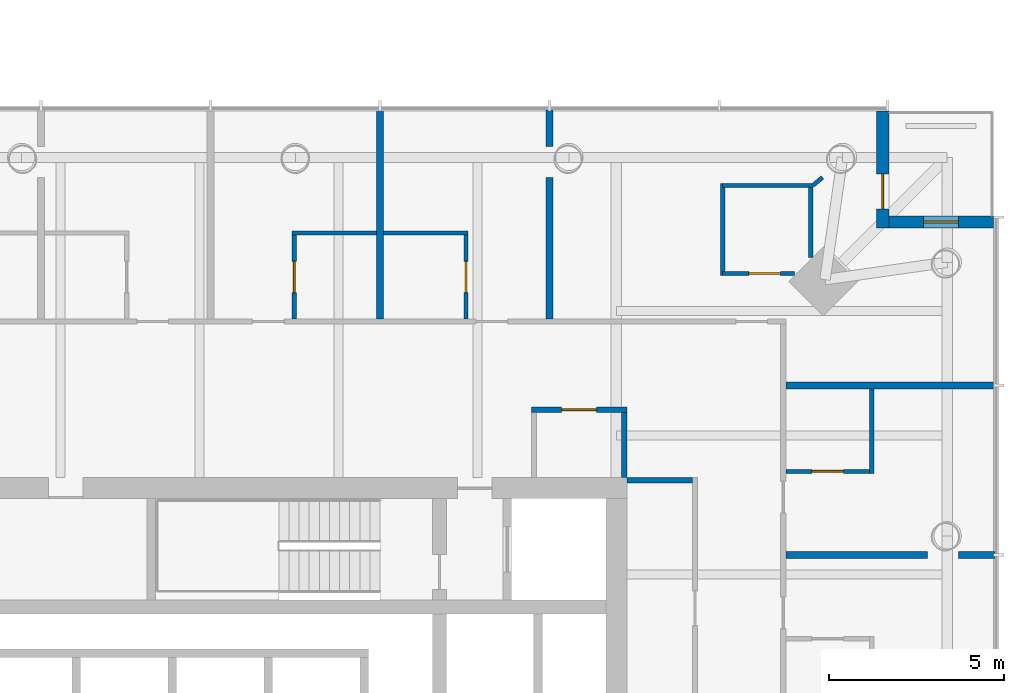
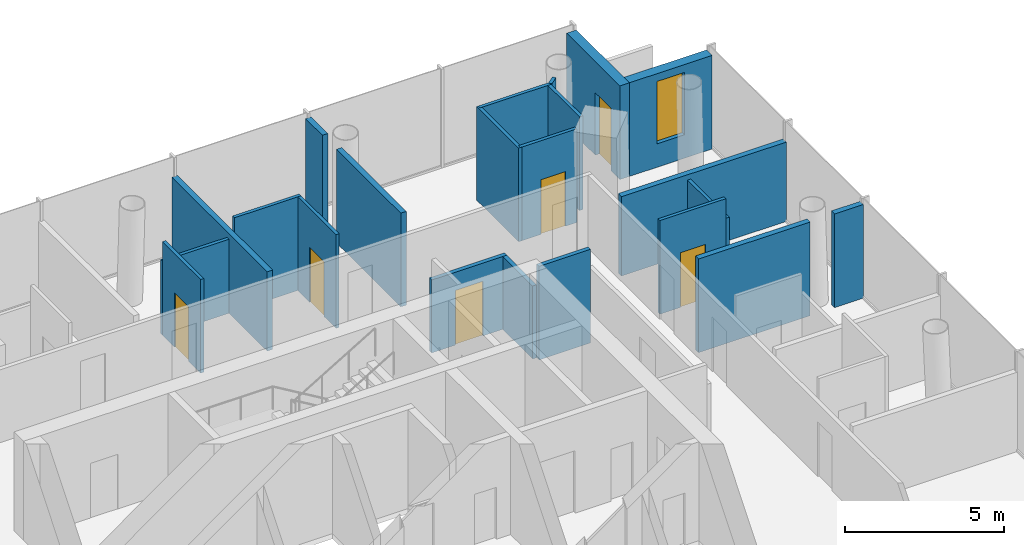
# One storey, part 17 of 20: 22 walls, 6 doors, 1 window, 7 openings.
"""IFC4 building model written with IfcOpenShell, lengths in metres."""

from ifc_helpers import new_model, si_unit, direction, frame, frame_2d, origin, place, context, subcontext, project, spatial, rectangle, extrude, material, layer, layer_set, type_object, element, fill, save


model = new_model("IFC4")

# Units and contexts
model_context = context("Model", 3, precision=1e-05, world=origin(), true_north=direction((0.0, 1.0)))
body_context = subcontext(model_context, "Body", "Model", "MODEL_VIEW")
ifc_project = project(units=[si_unit("LENGTHUNIT", "METRE"), si_unit("AREAUNIT", "SQUARE_METRE"), si_unit("VOLUMEUNIT", "CUBIC_METRE"), si_unit("PLANEANGLEUNIT", "RADIAN"), si_unit("MASSUNIT", "GRAM", prefix="KILO")], contexts=[model_context])

# Site, building, storey
site_placement = place(None, origin())
site = spatial("IfcSite", under=ifc_project, at=site_placement, CompositionType="ELEMENT")
building_placement = place(site_placement, origin())
building = spatial("IfcBuilding", under=site, at=building_placement, Name="Ostroluk Exchange", CompositionType="ELEMENT")
storey_placement = place(building_placement, frame((0.0, 0.0, 28.60009765625)))
storey = spatial("IfcBuildingStorey", under=building, at=storey_placement, Name="L06", CompositionType="ELEMENT", Elevation=28.60009765625)

# Wall, opening, door
ifc_material_1 = material(Name="Limestone", Category="masonry")
ifc_layer_1 = layer(ifc_material_1, 0.35009765625)
ifc_layer_set_1 = layer_set([ifc_layer_1], Name="Limestone facade wall 350")
wall_type_1 = type_object("IfcWallType", Name="Limestone facade wall 350", PredefinedType="SOLIDWALL", material=ifc_layer_set_1)
wall_1_placement = place(storey_placement, frame((133.824951171875, 66.0, 0.0), z_axis=(0.0, 0.0, 1.0), x_axis=(0.0, -1.0, 0.0)))
wall_1 = element("IfcWall", 1, at=wall_1_placement, inside=storey, type_object=wall_type_1, Name="Hotel tower NE corner wall L06 a", PredefinedType="SOLIDWALL", context=body_context, shape_type="SweptSolid", body=[
    extrude(rectangle(XDim=3.35009765625, YDim=0.35009765625, at=frame_2d((1.675048828125, 0.0))), origin(), (0.0, 0.0, 1.0), 3.599853515625),
])
opening_1_placement = place(wall_1_placement, frame((1.800048828125, 0.0, 0.0)))
opening_1 = element("IfcOpeningElement", 2, at=opening_1_placement, cuts=wall_1, Name="Opening D-B1", PredefinedType="OPENING", context=body_context, shape_type="SweptSolid", body=[
    extrude(rectangle(XDim=1.0, YDim=2.39990234375, at=frame_2d((0.5, 1.199951171875))), frame((0.0, 0.18505859375, 0.0), z_axis=(0.0, -1.0, 0.0), x_axis=(1.0, 0.0, 0.0)), (0.0, 0.0, 1.0), 0.3701171875),
])
ifc_material_2 = material(Name="Bronze framed glazed door", Category="aluminium")
door_type_1 = type_object("IfcDoorType", Name="Balcony door 1000 x 2400", OperationType="SINGLE_SWING_LEFT", PredefinedType="DOOR", material=ifc_material_2)
door_1_placement = place(opening_1_placement, origin())
door_1 = element("IfcDoor", 3, at=door_1_placement, inside=storey, type_object=door_type_1, Name="Hotel tower NE balcony door L06", OperationType="SINGLE_SWING_RIGHT", OverallHeight=2.39990234375, OverallWidth=1.0, PredefinedType="DOOR", context=body_context, shape_type="SweptSolid", body=[
    extrude(rectangle(XDim=1.0, YDim=2.39990234375, at=frame_2d((0.5, 1.199951171875))), frame((0.0, 0.02490234375, 0.0), z_axis=(0.0, -1.0, 0.0), x_axis=(1.0, 0.0, 0.0)), (0.0, 0.0, 1.0), 0.050048828125),
])
fill(opening_1, door_1)

# Wall, opening, window
wall_2_placement = place(storey_placement, frame((134.0, 62.824951171875, 0.0), z_axis=(0.0, 0.0, 1.0), x_axis=(1.0, 0.0, 0.0)))
wall_2 = element("IfcWall", 4, at=wall_2_placement, inside=storey, type_object=wall_type_1, Name="Hotel tower NE corner wall L06 b", PredefinedType="SOLIDWALL", context=body_context, shape_type="SweptSolid", body=[
    extrude(rectangle(XDim=3.0, YDim=0.35009765625, at=frame_2d((1.5, 0.0))), origin(), (0.0, 0.0, 1.0), 3.599853515625),
])
opening_2_placement = place(wall_2_placement, frame((1.0, 0.0, 0.89990234375)))
opening_2 = element("IfcOpeningElement", 5, at=opening_2_placement, cuts=wall_2, Name="Opening WN-L3", PredefinedType="OPENING", context=body_context, shape_type="SweptSolid", body=[
    extrude(rectangle(XDim=1.0, YDim=2.39990234375, at=frame_2d((0.5, 1.199951171875))), frame((0.0, 0.18505859375, 0.0), z_axis=(0.0, -1.0, 0.0), x_axis=(1.0, 0.0, 0.0)), (0.0, 0.0, 1.0), 0.3701171875),
])
ifc_material_3 = material(Name="Laminated clear glass", Category="glass")
window_type = type_object("IfcWindowType", Name="Hotel lancet window 1000 x 2400", PartitioningType="SINGLE_PANEL", PredefinedType="WINDOW", material=ifc_material_3)
window_placement = place(opening_2_placement, origin())
window = element("IfcWindow", 6, at=window_placement, inside=storey, type_object=window_type, Name="Hotel tower NE lancet window L06", OverallHeight=2.39990234375, OverallWidth=1.0, PartitioningType="SINGLE_PANEL", PredefinedType="WINDOW", context=body_context, shape_type="SweptSolid", body=[
    extrude(rectangle(XDim=1.0, YDim=2.39990234375, at=frame_2d((0.5, 1.199951171875))), frame((0.0, 0.030029296875, 0.0), z_axis=(0.0, -1.0, 0.0), x_axis=(1.0, 0.0, 0.0)), (0.0, 0.0, 1.0), 0.06005859375),
])
fill(opening_2, window)

# Wall
ifc_material_4 = material(Name="Gypsum plasterboard partition, moisture resistant", Category="gypsum")
ifc_layer_2 = layer(ifc_material_4, 0.1201171875)
ifc_layer_set_2 = layer_set([ifc_layer_2], Name="Plasterboard en-suite wall 120")
wall_type_2 = type_object("IfcWallType", Name="Plasterboard en-suite wall 120", PredefinedType="PARTITIONING", material=ifc_layer_set_2)
wall_3_placement = place(storey_placement, frame((133.510009765625, 55.622802734375, 0.0), z_axis=(0.0, 0.0, 1.0), x_axis=(0.0, 1.0, 0.0)))
element("IfcWall", 7, at=wall_3_placement, inside=storey, type_object=wall_type_2, Name="En-suite wall", PredefinedType="PARTITIONING", context=body_context, shape_type="SweptSolid", body=[
    extrude(rectangle(XDim=2.420166015625, YDim=0.1201171875, at=frame_2d((1.2099609375, 0.0))), origin(), (0.0, 0.0, 1.0), 2.846923828125),
])

# Wall, opening, door
wall_4_placement = place(storey_placement, frame((131.050048828125, 55.682861328125, 0.0), z_axis=(0.0, 0.0, 1.0), x_axis=(1.0, 0.0, 0.0)))
wall_4 = element("IfcWall", 8, at=wall_4_placement, inside=storey, type_object=wall_type_2, Name="En-suite wall", PredefinedType="PARTITIONING", context=body_context, shape_type="SweptSolid", body=[
    extrude(rectangle(XDim=2.39990234375, YDim=0.1201171875, at=frame_2d((1.199951171875, 0.0))), origin(), (0.0, 0.0, 1.0), 3.599853515625),
])
opening_3_placement = place(wall_4_placement, frame((0.75, 0.0, 0.0)))
opening_3 = element("IfcOpeningElement", 9, at=opening_3_placement, cuts=wall_4, Name="Opening D-02", PredefinedType="OPENING", context=body_context, shape_type="SweptSolid", body=[
    extrude(rectangle(XDim=0.89990234375, YDim=2.10009765625, at=frame_2d((0.449951171875, 1.050048828125))), frame((0.0, 0.070068359375, 0.0), z_axis=(0.0, -1.0, 0.0), x_axis=(1.0, 0.0, 0.0)), (0.0, 0.0, 1.0), 0.14013671875),
])
ifc_material_5 = material(Name="Timber", Category="wood")
door_type_2 = type_object("IfcDoorType", Name="En-suite door 900 x 2100", OperationType="SINGLE_SWING_LEFT", PredefinedType="DOOR", material=ifc_material_5)
door_2_placement = place(opening_3_placement, origin())
door_2 = element("IfcDoor", 10, at=door_2_placement, inside=storey, type_object=door_type_2, Name="En-suite door 605", OperationType="SINGLE_SWING_RIGHT", OverallHeight=2.10009765625, OverallWidth=0.89990234375, PredefinedType="DOOR", context=body_context, shape_type="SweptSolid", body=[
    extrude(rectangle(XDim=0.89990234375, YDim=2.10009765625, at=frame_2d((0.449951171875, 1.050048828125))), frame((0.0, 0.02490234375, 0.0), z_axis=(0.0, -1.0, 0.0), x_axis=(1.0, 0.0, 0.0)), (0.0, 0.0, 1.0), 0.050048828125),
])
fill(opening_3, door_2)

wall_5_placement = place(storey_placement, frame((129.242919921875, 61.35009765625, 0.0), z_axis=(0.0, 0.0, 1.0), x_axis=(1.0, 0.0, 0.0)))
wall_5 = element("IfcWall", 11, at=wall_5_placement, inside=storey, type_object=wall_type_2, Name="En-suite wall", PredefinedType="PARTITIONING", context=body_context, shape_type="SweptSolid", body=[
    extrude(rectangle(XDim=2.05712890625, YDim=0.1201171875, at=frame_2d((1.028564453125, 0.0))), origin(), (0.0, 0.0, 1.0), 3.599853515625),
])
opening_4_placement = place(wall_5_placement, frame((0.75, 0.0, 0.0)))
opening_4 = element("IfcOpeningElement", 12, at=opening_4_placement, cuts=wall_5, Name="Opening D-02", PredefinedType="OPENING", context=body_context, shape_type="SweptSolid", body=[
    extrude(rectangle(XDim=0.89990234375, YDim=2.10009765625, at=frame_2d((0.449951171875, 1.050048828125))), frame((0.0, 0.070068359375, 0.0), z_axis=(0.0, -1.0, 0.0), x_axis=(1.0, 0.0, 0.0)), (0.0, 0.0, 1.0), 0.14013671875),
])
door_3_placement = place(opening_4_placement, origin())
door_3 = element("IfcDoor", 13, at=door_3_placement, inside=storey, type_object=door_type_2, Name="En-suite door 606", OperationType="SINGLE_SWING_RIGHT", OverallHeight=2.10009765625, OverallWidth=0.89990234375, PredefinedType="DOOR", context=body_context, shape_type="SweptSolid", body=[
    extrude(rectangle(XDim=0.89990234375, YDim=2.10009765625, at=frame_2d((0.449951171875, 1.050048828125))), frame((0.0, 0.02490234375, 0.0), z_axis=(0.0, -1.0, 0.0), x_axis=(1.0, 0.0, 0.0)), (0.0, 0.0, 1.0), 0.050048828125),
])
fill(opening_4, door_3)

# Walls
wall_6_placement = place(storey_placement, frame((129.242919921875, 63.8701171875, 0.0), z_axis=(0.0, 0.0, 1.0), x_axis=(1.0, 0.0, 0.0)))
element("IfcWall", 14, at=wall_6_placement, inside=storey, type_object=wall_type_2, Name="En-suite wall", PredefinedType="PARTITIONING", context=body_context, shape_type="SweptSolid", body=[
    extrude(rectangle(XDim=2.579833984375, YDim=0.1201171875, at=frame_2d((1.2900390625, 0.0))), origin(), (0.0, 0.0, 1.0), 3.599853515625),
])
wall_7_placement = place(storey_placement, frame((131.762939453125, 61.812744140625, 0.0), z_axis=(0.0, 0.0, 1.0), x_axis=(0.0, 1.0, 0.0)))
element("IfcWall", 15, at=wall_7_placement, inside=storey, type_object=wall_type_2, Name="En-suite wall", PredefinedType="PARTITIONING", context=body_context, shape_type="SweptSolid", body=[
    extrude(rectangle(XDim=1.997314453125, YDim=0.1201171875, at=frame_2d((0.99853515625, 0.0))), origin(), (0.0, 0.0, 1.0), 3.599853515625),
])
wall_8_placement = place(storey_placement, frame((129.242919921875, 61.2900390625, 0.0), z_axis=(0.0, 0.0, 1.0), x_axis=(0.0, 1.0, 0.0)))
element("IfcWall", 16, at=wall_8_placement, inside=storey, type_object=wall_type_2, Name="En-suite wall", PredefinedType="PARTITIONING", context=body_context, shape_type="SweptSolid", body=[
    extrude(rectangle(XDim=2.639892578125, YDim=0.1201171875, at=frame_2d((1.31982421875, 0.0))), origin(), (0.0, 0.0, 1.0), 3.599853515625),
])
wall_9_placement = place(storey_placement, frame((121.948486328125, 62.510009765625, 0.0), z_axis=(0.0, 0.0, 1.0), x_axis=(-1.0, 0.0, 0.0)))
element("IfcWall", 17, at=wall_9_placement, inside=storey, type_object=wall_type_2, Name="En-suite wall", PredefinedType="PARTITIONING", context=body_context, shape_type="SweptSolid", body=[
    extrude(rectangle(XDim=2.419921875, YDim=0.1201171875, at=frame_2d((1.2099609375, 0.0))), origin(), (0.0, 0.0, 1.0), 3.599853515625),
])

# Wall, opening, door
wall_10_placement = place(storey_placement, frame((121.888671875, 60.050048828125, 0.0), z_axis=(0.0, 0.0, 1.0), x_axis=(0.0, 1.0, 0.0)))
wall_10 = element("IfcWall", 18, at=wall_10_placement, inside=storey, type_object=wall_type_2, Name="En-suite wall", PredefinedType="PARTITIONING", context=body_context, shape_type="SweptSolid", body=[
    extrude(rectangle(XDim=2.39990234375, YDim=0.1201171875, at=frame_2d((1.199951171875, 0.0))), origin(), (0.0, 0.0, 1.0), 3.599853515625),
])
opening_5_placement = place(wall_10_placement, frame((0.75, 0.0, 0.0)))
opening_5 = element("IfcOpeningElement", 19, at=opening_5_placement, cuts=wall_10, Name="Opening D-02", PredefinedType="OPENING", context=body_context, shape_type="SweptSolid", body=[
    extrude(rectangle(XDim=0.89990234375, YDim=2.10009765625, at=frame_2d((0.449951171875, 1.050048828125))), frame((0.0, 0.070068359375, 0.0), z_axis=(0.0, -1.0, 0.0), x_axis=(1.0, 0.0, 0.0)), (0.0, 0.0, 1.0), 0.14013671875),
])
door_4_placement = place(opening_5_placement, origin())
door_4 = element("IfcDoor", 20, at=door_4_placement, inside=storey, type_object=door_type_2, Name="En-suite door 607", OperationType="SINGLE_SWING_LEFT", OverallHeight=2.10009765625, OverallWidth=0.89990234375, PredefinedType="DOOR", context=body_context, shape_type="SweptSolid", body=[
    extrude(rectangle(XDim=0.89990234375, YDim=2.10009765625, at=frame_2d((0.449951171875, 1.050048828125))), frame((0.0, 0.02490234375, 0.0), z_axis=(0.0, -1.0, 0.0), x_axis=(1.0, 0.0, 0.0)), (0.0, 0.0, 1.0), 0.050048828125),
])
fill(opening_5, door_4)

# Wall
wall_11_placement = place(storey_placement, frame((119.32861328125, 62.510009765625, 0.0), z_axis=(0.0, 0.0, 1.0), x_axis=(-1.0, 0.0, 0.0)))
element("IfcWall", 21, at=wall_11_placement, inside=storey, type_object=wall_type_2, Name="En-suite wall", PredefinedType="PARTITIONING", context=body_context, shape_type="SweptSolid", body=[
    extrude(rectangle(XDim=2.419921875, YDim=0.1201171875, at=frame_2d((1.2099609375, 0.0))), origin(), (0.0, 0.0, 1.0), 2.846923828125),
])

# Wall, opening, door
wall_12_placement = place(storey_placement, frame((116.968505859375, 60.050048828125, 0.0), z_axis=(0.0, 0.0, 1.0), x_axis=(0.0, 1.0, 0.0)))
wall_12 = element("IfcWall", 22, at=wall_12_placement, inside=storey, type_object=wall_type_2, Name="En-suite wall", PredefinedType="PARTITIONING", context=body_context, shape_type="SweptSolid", body=[
    extrude(rectangle(XDim=2.39990234375, YDim=0.1201171875, at=frame_2d((1.199951171875, 0.0))), origin(), (0.0, 0.0, 1.0), 3.599853515625),
])
opening_6_placement = place(wall_12_placement, frame((0.75, 0.0, 0.0)))
opening_6 = element("IfcOpeningElement", 23, at=opening_6_placement, cuts=wall_12, Name="Opening D-02", PredefinedType="OPENING", context=body_context, shape_type="SweptSolid", body=[
    extrude(rectangle(XDim=0.89990234375, YDim=2.10009765625, at=frame_2d((0.449951171875, 1.050048828125))), frame((0.0, 0.070068359375, 0.0), z_axis=(0.0, -1.0, 0.0), x_axis=(1.0, 0.0, 0.0)), (0.0, 0.0, 1.0), 0.14013671875),
])
door_5_placement = place(opening_6_placement, origin())
door_5 = element("IfcDoor", 24, at=door_5_placement, inside=storey, type_object=door_type_2, Name="En-suite door 608", OperationType="SINGLE_SWING_LEFT", OverallHeight=2.10009765625, OverallWidth=0.89990234375, PredefinedType="DOOR", context=body_context, shape_type="SweptSolid", body=[
    extrude(rectangle(XDim=0.89990234375, YDim=2.10009765625, at=frame_2d((0.449951171875, 1.050048828125))), frame((0.0, 0.02490234375, 0.0), z_axis=(0.0, -1.0, 0.0), x_axis=(1.0, 0.0, 0.0)), (0.0, 0.0, 1.0), 0.050048828125),
])
fill(opening_6, door_5)

# Walls
wall_13_placement = place(storey_placement, frame((131.82275390625, 63.8701171875, 0.0), z_axis=(0.0, 0.0, 1.0), x_axis=(0.76932257457, 0.638860529582, 0.0)))
element("IfcWall", 25, at=wall_13_placement, inside=storey, type_object=wall_type_2, Name="En-suite wall", PredefinedType="PARTITIONING", context=body_context, shape_type="SweptSolid", body=[
    extrude(rectangle(XDim=0.363037109375, YDim=0.1201171875, at=frame_2d((0.181640625, 0.0))), origin(), (0.0, 0.0, 1.0), 3.599853515625),
])
ifc_material_6 = material(Name="Gypsum plasterboard partition", Category="gypsum")
ifc_layer_3 = layer(ifc_material_6, 0.14990234375)
ifc_layer_set_3 = layer_set([ifc_layer_3], Name="Plasterboard partition 150")
wall_type_3 = type_object("IfcWallType", Name="Plasterboard partition 150", PredefinedType="PARTITIONING", material=ifc_layer_set_3)
wall_14_placement = place(storey_placement, frame((126.5, 55.425048828125, 0.0), z_axis=(0.0, 0.0, 1.0), x_axis=(1.0, 0.0, 0.0)))
element("IfcWall", 26, at=wall_14_placement, inside=storey, type_object=wall_type_3, Name="Partition", PredefinedType="PARTITIONING", context=body_context, shape_type="SweptSolid", body=[
    extrude(rectangle(XDim=1.875, YDim=0.14990234375, at=frame_2d((0.9375, 0.0))), origin(), (0.0, 0.0, 1.0), 3.599853515625),
])

# Wall, opening, door
wall_15_placement = place(storey_placement, frame((126.5, 57.449951171875, 0.0), z_axis=(0.0, 0.0, 1.0), x_axis=(-1.0, 0.0, 0.0)))
wall_15 = element("IfcWall", 27, at=wall_15_placement, inside=storey, type_object=wall_type_3, Name="Partition", PredefinedType="PARTITIONING", context=body_context, shape_type="SweptSolid", body=[
    extrude(rectangle(XDim=2.735107421875, YDim=0.14990234375, at=frame_2d((1.36767578125, 0.0))), origin(), (0.0, 0.0, 1.0), 2.7998046875),
])
opening_7_placement = place(wall_15_placement, frame((0.867431640625, 0.0, 0.0)))
opening_7 = element("IfcOpeningElement", 28, at=opening_7_placement, cuts=wall_15, Name="Opening D-03", PredefinedType="OPENING", context=body_context, shape_type="SweptSolid", body=[
    extrude(rectangle(XDim=1.0, YDim=2.10009765625, at=frame_2d((0.5, 1.050048828125))), frame((0.0, 0.0849609375, 0.0), z_axis=(0.0, -1.0, 0.0), x_axis=(1.0, 0.0, 0.0)), (0.0, 0.0, 1.0), 0.169921875),
])
ifc_material_7 = material(Name="Timber", Category="wood")
door_type_3 = type_object("IfcDoorType", Name="Internal door 1000 x 2100", OperationType="SINGLE_SWING_LEFT", PredefinedType="DOOR", material=ifc_material_7)
door_6_placement = place(opening_7_placement, origin())
door_6 = element("IfcDoor", 29, at=door_6_placement, inside=storey, type_object=door_type_3, Name="Vending and ice room door", OperationType="SINGLE_SWING_RIGHT", OverallHeight=2.10009765625, OverallWidth=1.0, PredefinedType="DOOR", context=body_context, shape_type="SweptSolid", body=[
    extrude(rectangle(XDim=1.0, YDim=2.10009765625, at=frame_2d((0.5, 1.050048828125))), frame((0.0, 0.02490234375, 0.0), z_axis=(0.0, -1.0, 0.0), x_axis=(1.0, 0.0, 0.0)), (0.0, 0.0, 1.0), 0.050048828125),
])
fill(opening_7, door_6)

# Walls
wall_16_placement = place(storey_placement, frame((126.425048828125, 55.5, 0.0), z_axis=(0.0, 0.0, 1.0), x_axis=(0.0, 1.0, 0.0)))
element("IfcWall", 30, at=wall_16_placement, inside=storey, type_object=wall_type_3, Name="Partition", PredefinedType="PARTITIONING", context=body_context, shape_type="SweptSolid", body=[
    extrude(rectangle(XDim=1.875, YDim=0.14990234375, at=frame_2d((0.9375, 0.0))), origin(), (0.0, 0.0, 1.0), 2.7998046875),
])
ifc_material_8 = material(Name="Gypsum plasterboard partition", Category="gypsum")
ifc_layer_4 = layer(ifc_material_8, 0.199951171875)
ifc_layer_set_4 = layer_set([ifc_layer_4], Name="Plasterboard party wall 200")
wall_type_4 = type_object("IfcWallType", Name="Plasterboard party wall 200", PredefinedType="PARTITIONING", material=ifc_layer_set_4)
wall_17_placement = place(storey_placement, frame((131.050048828125, 53.28564453125, 0.0), z_axis=(0.0, 0.0, 1.0), x_axis=(1.0, 0.0, 0.0)))
element("IfcWall", 31, at=wall_17_placement, inside=storey, type_object=wall_type_4, Name="Party wall", PredefinedType="PARTITIONING", context=body_context, shape_type="SweptSolid", body=[
    extrude(rectangle(XDim=4.052001953125, YDim=0.199951171875, at=frame_2d((2.02587890625, 0.0))), origin(), (0.0, 0.0, 1.0), 3.599853515625),
])
wall_18_placement = place(storey_placement, frame((135.990966796875, 53.28564453125, 0.0), z_axis=(0.0, 0.0, 1.0), x_axis=(1.0, 0.0, 0.0)))
element("IfcWall", 32, at=wall_18_placement, inside=storey, type_object=wall_type_4, Name="Party wall", PredefinedType="PARTITIONING", context=body_context, shape_type="SweptSolid", body=[
    extrude(rectangle(XDim=1.049072265625, YDim=0.199951171875, at=frame_2d((0.5244140625, 0.0))), origin(), (0.0, 0.0, 1.0), 3.599853515625),
])
wall_19_placement = place(storey_placement, frame((131.050048828125, 58.142822265625, 0.0), z_axis=(0.0, 0.0, 1.0), x_axis=(1.0, 0.0, 0.0)))
element("IfcWall", 33, at=wall_19_placement, inside=storey, type_object=wall_type_4, Name="Party wall", PredefinedType="PARTITIONING", context=body_context, shape_type="SweptSolid", body=[
    extrude(rectangle(XDim=5.989990234375, YDim=0.199951171875, at=frame_2d((2.9951171875, 0.0))), origin(), (0.0, 0.0, 1.0), 3.0498046875),
])
wall_20_placement = place(storey_placement, frame((124.28564453125, 60.050048828125, 0.0), z_axis=(0.0, 0.0, 1.0), x_axis=(0.0, 1.0, 0.0)))
element("IfcWall", 34, at=wall_20_placement, inside=storey, type_object=wall_type_4, Name="Party wall", PredefinedType="PARTITIONING", context=body_context, shape_type="SweptSolid", body=[
    extrude(rectangle(XDim=4.052001953125, YDim=0.199951171875, at=frame_2d((2.02587890625, 0.0))), origin(), (0.0, 0.0, 1.0), 3.599853515625),
])
wall_21_placement = place(storey_placement, frame((124.28564453125, 64.990966796875, 0.0), z_axis=(0.0, 0.0, 1.0), x_axis=(0.0, 1.0, 0.0)))
element("IfcWall", 35, at=wall_21_placement, inside=storey, type_object=wall_type_4, Name="Party wall", PredefinedType="PARTITIONING", context=body_context, shape_type="SweptSolid", body=[
    extrude(rectangle(XDim=1.049072265625, YDim=0.199951171875, at=frame_2d((0.5244140625, 0.0))), origin(), (0.0, 0.0, 1.0), 3.599853515625),
])
wall_22_placement = place(storey_placement, frame((119.428466796875, 60.050048828125, 0.0), z_axis=(0.0, 0.0, 1.0), x_axis=(0.0, 1.0, 0.0)))
element("IfcWall", 36, at=wall_22_placement, inside=storey, type_object=wall_type_4, Name="Party wall", PredefinedType="PARTITIONING", context=body_context, shape_type="SweptSolid", body=[
    extrude(rectangle(XDim=5.989990234375, YDim=0.199951171875, at=frame_2d((2.9951171875, 0.0))), origin(), (0.0, 0.0, 1.0), 3.0498046875),
])

save(model, "model.ifc")
